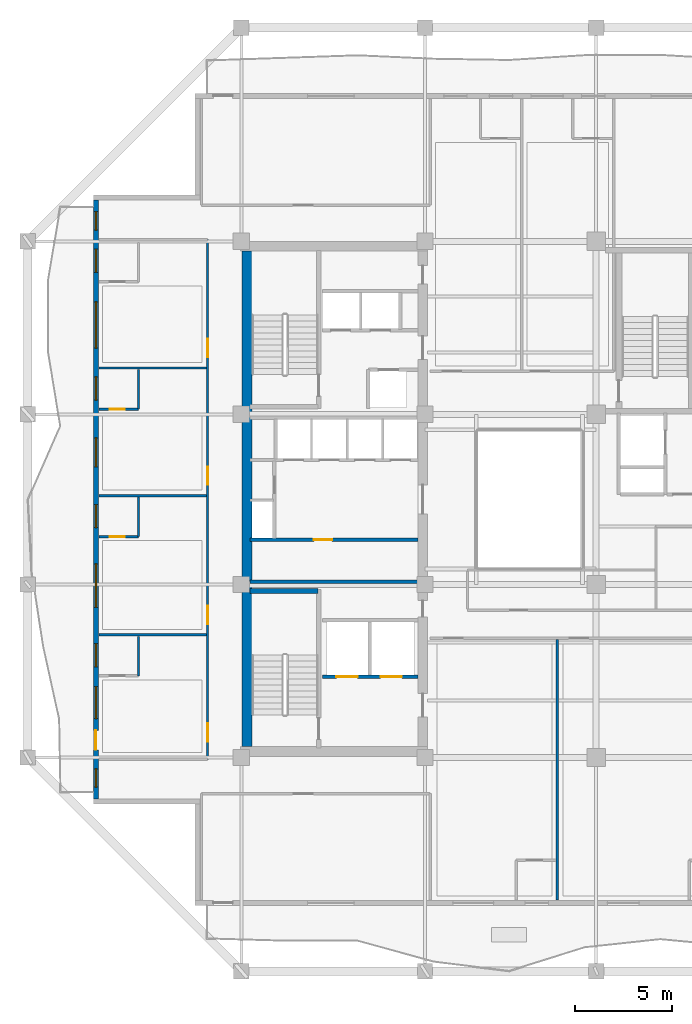
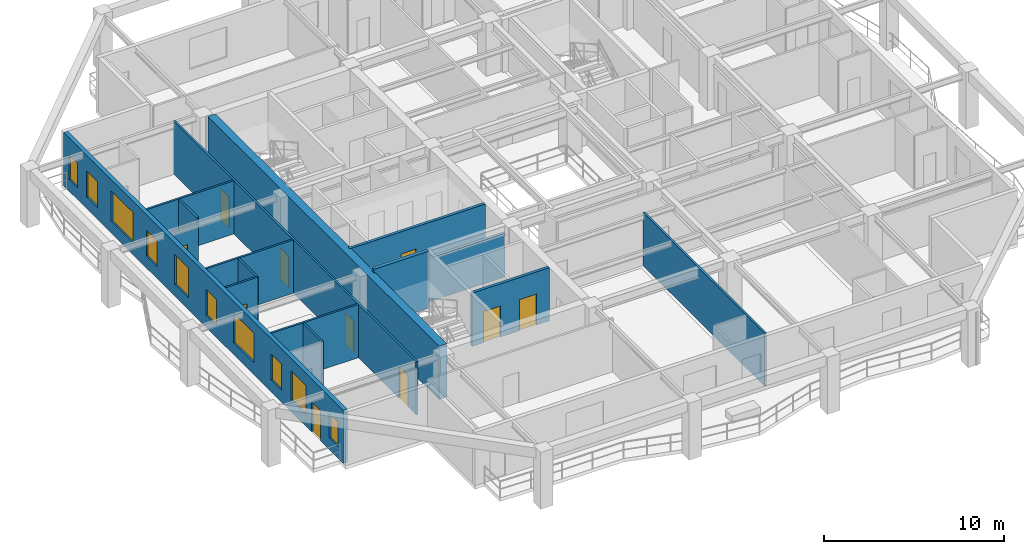
# One storey, part 3 of 13: 16 walls, 10 doors, 10 windows, 20 openings.
"""IFC4 building model written with IfcOpenShell, lengths in metres."""

from ifc_helpers import new_model, si_unit, direction, frame, frame_2d, origin, place, context, subcontext, project, spatial, rectangle, extrude, material, layer, layer_set, type_object, element, fill, save


model = new_model("IFC4")

# Units and contexts
model_context = context("Model", 3, precision=1e-05, world=origin(), true_north=direction((0.0, 1.0)))
body_context = subcontext(model_context, "Body", "Model", "MODEL_VIEW")
ifc_project = project(units=[si_unit("LENGTHUNIT", "METRE"), si_unit("AREAUNIT", "SQUARE_METRE"), si_unit("VOLUMEUNIT", "CUBIC_METRE"), si_unit("PLANEANGLEUNIT", "RADIAN"), si_unit("MASSUNIT", "GRAM", prefix="KILO")], contexts=[model_context])

# Site, building, storey
site_placement = place(None, origin())
site = spatial("IfcSite", under=ifc_project, at=site_placement, CompositionType="ELEMENT")
building_placement = place(site_placement, origin())
building = spatial("IfcBuilding", under=site, at=building_placement, Name="Kundavana Baori Tower", CompositionType="ELEMENT")
storey_placement = place(building_placement, frame((0.0, 0.0, 161.75)))
storey = spatial("IfcBuildingStorey", under=building, at=storey_placement, Name="L39", CompositionType="ELEMENT", Elevation=161.75)

# Walls
ifc_material_1 = material(Name="Concrete C50/60", Category="concrete")
ifc_layer_1 = layer(ifc_material_1, 0.39990234375, Name="WL-CORE-400")
ifc_layer_set_1 = layer_set([ifc_layer_1], Name="Concrete C50/60")
wall_type_1 = type_object("IfcWallType", Name="WL-CORE-400", PredefinedType="SHEAR", material=ifc_layer_set_1)
wall_1_placement = place(storey_placement, frame((15.89990234375, 23.860107421875, 0.0), z_axis=(0.0, 0.0, 1.0), x_axis=(1.0, 0.0, 0.0)))
element("IfcWall", 1, at=wall_1_placement, inside=storey, type_object=wall_type_1, Name="WL-L39-ST1-N", PredefinedType="SHEAR", context=body_context, shape_type="SweptSolid", body=[
    extrude(rectangle(XDim=3.52001953125, YDim=0.239990234375, at=frame_2d((1.760009765625, 0.0))), origin(), (0.0, 0.0, 1.0), 3.85009765625),
])
ifc_material_2 = material(Name="Concrete C50/60", Category="concrete")
ifc_layer_2 = layer(ifc_material_2, 0.5, Name="WL-CORE-500")
ifc_layer_set_2 = layer_set([ifc_layer_2], Name="Concrete C50/60")
wall_type_2 = type_object("IfcWallType", Name="WL-CORE-500", PredefinedType="SHEAR", material=ifc_layer_set_2)
wall_2_placement = place(storey_placement, frame((15.739990234375, 15.81005859375, 0.0), z_axis=(0.0, 0.0, 1.0), x_axis=(0.0, 1.0, 0.0)))
element("IfcWall", 2, at=wall_2_placement, inside=storey, type_object=wall_type_2, Name="L39 Offset Core West Shear Wall", PredefinedType="SHEAR", context=body_context, shape_type="SweptSolid", body=[
    extrude(rectangle(XDim=25.6298828125, YDim=0.5, at=frame_2d((12.81494140625, 0.0))), origin(), (0.0, 0.0, 1.0), 3.60009765625),
])

# Wall, openings, door, windows
ifc_material_3 = material(Name="Kiln-Fired Terracotta Brick-Slip Masonry on Concrete C40/50", Category="masonry")
ifc_layer_3 = layer(ifc_material_3, 0.260009765625, Name="WL-EXT-BRK-260")
ifc_layer_set_3 = layer_set([ifc_layer_3], Name="Kiln-Fired Terracotta Brick-Slip Masonry on Concrete C40/50")
wall_type_3 = type_object("IfcWallType", Name="WL-EXT-BRK-260", PredefinedType="SOLIDWALL", material=ifc_layer_set_3)
wall_3_placement = place(storey_placement, frame((7.929931640625, 44.090087890625, 0.0), z_axis=(0.0, 0.0, 1.0), x_axis=(0.0, -1.0, 0.0)))
wall_3 = element("IfcWall", 3, at=wall_3_placement, inside=storey, type_object=wall_type_3, Name="L39 Exterior Insulated Facade Wall 10", PredefinedType="SOLIDWALL", context=body_context, shape_type="SweptSolid", body=[
    extrude(rectangle(XDim=30.97998046875, YDim=0.260009765625, at=frame_2d((15.489990234375, 0.0))), origin(), (0.0, 0.0, 1.0), 3.60009765625),
])
opening_1_placement = place(wall_3_placement, frame((29.425048828125, 0.0, 0.800048828125)))
opening_1 = element("IfcOpeningElement", 4, at=opening_1_placement, cuts=wall_3, Name="Opening W-13", PredefinedType="OPENING", context=body_context, shape_type="SweptSolid", body=[
    extrude(rectangle(XDim=0.949951171875, YDim=1.64990234375, at=frame_2d((0.47509765625, 0.824951171875))), frame((0.0, 0.14013671875, 0.0), z_axis=(0.0, -1.0, 0.0), x_axis=(1.0, 0.0, 0.0)), (0.0, 0.0, 1.0), 0.280029296875),
])
opening_2_placement = place(wall_3_placement, frame((27.43994140625, 0.0, 0.0)))
opening_2 = element("IfcOpeningElement", 5, at=opening_2_placement, cuts=wall_3, Name="Opening BD-1", PredefinedType="OPENING", context=body_context, shape_type="SweptSolid", body=[
    extrude(rectangle(XDim=1.0, YDim=2.050048828125, at=frame_2d((0.5, 1.02490234375))), frame((0.0, 0.14013671875, 0.0), z_axis=(0.0, -1.0, 0.0), x_axis=(1.0, 0.0, 0.0)), (0.0, 0.0, 1.0), 0.280029296875),
])
opening_3_placement = place(wall_3_placement, frame((25.175048828125, 0.0, 0.800048828125)))
opening_3 = element("IfcOpeningElement", 6, at=opening_3_placement, cuts=wall_3, Name="Opening W-08", PredefinedType="OPENING", context=body_context, shape_type="SweptSolid", body=[
    extrude(rectangle(XDim=1.64990234375, YDim=1.949951171875, at=frame_2d((0.824951171875, 0.97509765625))), frame((0.0, 0.14013671875, 0.0), z_axis=(0.0, -1.0, 0.0), x_axis=(1.0, 0.0, 0.0)), (0.0, 0.0, 1.0), 0.280029296875),
])
opening_4_placement = place(wall_3_placement, frame((22.955078125, 0.0, 0.800048828125)))
opening_4 = element("IfcOpeningElement", 7, at=opening_4_placement, cuts=wall_3, Name="Opening W-03", PredefinedType="OPENING", context=body_context, shape_type="SweptSolid", body=[
    extrude(rectangle(XDim=1.199951171875, YDim=1.75, at=frame_2d((0.60009765625, 0.875))), frame((0.0, 0.14013671875, 0.0), z_axis=(0.0, -1.0, 0.0), x_axis=(1.0, 0.0, 0.0)), (0.0, 0.0, 1.0), 0.280029296875),
])
opening_5_placement = place(wall_3_placement, frame((18.830078125, 0.0, 0.800048828125)))
opening_5 = element("IfcOpeningElement", 8, at=opening_5_placement, cuts=wall_3, Name="Opening W-10", PredefinedType="OPENING", context=body_context, shape_type="SweptSolid", body=[
    extrude(rectangle(XDim=2.25, YDim=2.0, at=frame_2d((1.125, 1.0))), frame((0.0, 0.14013671875, 0.0), z_axis=(0.0, -1.0, 0.0), x_axis=(1.0, 0.0, 0.0)), (0.0, 0.0, 1.0), 0.280029296875),
])
opening_6_placement = place(wall_3_placement, frame((15.7548828125, 0.0, 0.800048828125)))
opening_6 = element("IfcOpeningElement", 9, at=opening_6_placement, cuts=wall_3, Name="Opening W-03", PredefinedType="OPENING", context=body_context, shape_type="SweptSolid", body=[
    extrude(rectangle(XDim=1.199951171875, YDim=1.75, at=frame_2d((0.60009765625, 0.875))), frame((0.0, 0.14013671875, 0.0), z_axis=(0.0, -1.0, 0.0), x_axis=(1.0, 0.0, 0.0)), (0.0, 0.0, 1.0), 0.280029296875),
])
opening_7_placement = place(wall_3_placement, frame((12.304931640625, 0.0, 0.800048828125)))
opening_7 = element("IfcOpeningElement", 10, at=opening_7_placement, cuts=wall_3, Name="Opening W-02", PredefinedType="OPENING", context=body_context, shape_type="SweptSolid", body=[
    extrude(rectangle(XDim=1.5, YDim=2.0, at=frame_2d((0.75, 1.0))), frame((0.0, 0.14013671875, 0.0), z_axis=(0.0, -1.0, 0.0), x_axis=(1.0, 0.0, 0.0)), (0.0, 0.0, 1.0), 0.280029296875),
])
opening_8_placement = place(wall_3_placement, frame((9.155029296875, 0.0, 0.800048828125)))
opening_8 = element("IfcOpeningElement", 11, at=opening_8_placement, cuts=wall_3, Name="Opening W-03", PredefinedType="OPENING", context=body_context, shape_type="SweptSolid", body=[
    extrude(rectangle(XDim=1.199951171875, YDim=1.75, at=frame_2d((0.60009765625, 0.875))), frame((0.0, 0.14013671875, 0.0), z_axis=(0.0, -1.0, 0.0), x_axis=(1.0, 0.0, 0.0)), (0.0, 0.0, 1.0), 0.280029296875),
])
opening_9_placement = place(wall_3_placement, frame((5.264892578125, 0.0, 0.800048828125)))
opening_9 = element("IfcOpeningElement", 12, at=opening_9_placement, cuts=wall_3, Name="Opening W-04", PredefinedType="OPENING", context=body_context, shape_type="SweptSolid", body=[
    extrude(rectangle(XDim=2.39990234375, YDim=2.050048828125, at=frame_2d((1.199951171875, 1.02490234375))), frame((0.0, 0.14013671875, 0.0), z_axis=(0.0, -1.0, 0.0), x_axis=(1.0, 0.0, 0.0)), (0.0, 0.0, 1.0), 0.280029296875),
])
opening_10_placement = place(wall_3_placement, frame((2.544921875, 0.0, 0.800048828125)))
opening_10 = element("IfcOpeningElement", 13, at=opening_10_placement, cuts=wall_3, Name="Opening W-03", PredefinedType="OPENING", context=body_context, shape_type="SweptSolid", body=[
    extrude(rectangle(XDim=1.199951171875, YDim=1.75, at=frame_2d((0.60009765625, 0.875))), frame((0.0, 0.14013671875, 0.0), z_axis=(0.0, -1.0, 0.0), x_axis=(1.0, 0.0, 0.0)), (0.0, 0.0, 1.0), 0.280029296875),
])
opening_11_placement = place(wall_3_placement, frame((0.60498046875, 0.0, 0.800048828125)))
opening_11 = element("IfcOpeningElement", 14, at=opening_11_placement, cuts=wall_3, Name="Opening W-13", PredefinedType="OPENING", context=body_context, shape_type="SweptSolid", body=[
    extrude(rectangle(XDim=0.949951171875, YDim=1.64990234375, at=frame_2d((0.47509765625, 0.824951171875))), frame((0.0, 0.14013671875, 0.0), z_axis=(0.0, -1.0, 0.0), x_axis=(1.0, 0.0, 0.0)), (0.0, 0.0, 1.0), 0.280029296875),
])
ifc_material_4 = material(Name="Architectural Patinated Bronze Metalwork")
door_type_1 = type_object("IfcDoorType", Name="DR-EXT-LOG-1000", OperationType="NOTDEFINED", PredefinedType="DOOR", material=ifc_material_4)
door_1_placement = place(opening_2_placement, frame((1.0, 0.0, 0.0), z_axis=(0.0, 0.0, 1.0), x_axis=(-1.0, 0.0, 0.0)))
door_1 = element("IfcDoor", 15, at=door_1_placement, inside=storey, type_object=door_type_1, Name="L39 Loggia Balcony Access Door W", OperationType="SINGLE_SWING_LEFT", OverallHeight=2.050048828125, OverallWidth=1.0, PredefinedType="DOOR", context=body_context, shape_type="SweptSolid", body=[
    extrude(rectangle(XDim=1.0, YDim=2.050048828125, at=frame_2d((0.5, 1.02490234375))), frame((0.0, 0.02490234375, 0.0), z_axis=(0.0, -1.0, 0.0), x_axis=(1.0, 0.0, 0.0)), (0.0, 0.0, 1.0), 0.050048828125),
])
fill(opening_2, door_1)
ifc_material_5 = material(Name="Double-Glazed Solar-Control Low-E Insulated Glass", Category="glass")
window_type_1 = type_object("IfcWindowType", Name="WIN-LOG-1200x1750", PartitioningType="SINGLE_PANEL", PredefinedType="WINDOW", material=ifc_material_5)
window_1_placement = place(opening_4_placement, origin())
window_1 = element("IfcWindow", 16, at=window_1_placement, inside=storey, type_object=window_type_1, Name="L39 Recessed Loggia Window W-3", OverallHeight=1.75, OverallWidth=1.199951171875, PartitioningType="SINGLE_PANEL", PredefinedType="WINDOW", context=body_context, shape_type="SweptSolid", body=[
    extrude(rectangle(XDim=1.199951171875, YDim=1.75, at=frame_2d((0.60009765625, 0.875))), frame((0.0, 0.030029296875, 0.0), z_axis=(0.0, -1.0, 0.0), x_axis=(1.0, 0.0, 0.0)), (0.0, 0.0, 1.0), 0.06005859375),
])
fill(opening_4, window_1)
window_2_placement = place(opening_6_placement, origin())
window_2 = element("IfcWindow", 17, at=window_2_placement, inside=storey, type_object=window_type_1, Name="L39 Recessed Loggia Window W-5", OverallHeight=1.75, OverallWidth=1.199951171875, PartitioningType="SINGLE_PANEL", PredefinedType="WINDOW", context=body_context, shape_type="SweptSolid", body=[
    extrude(rectangle(XDim=1.199951171875, YDim=1.75, at=frame_2d((0.60009765625, 0.875))), frame((0.0, 0.030029296875, 0.0), z_axis=(0.0, -1.0, 0.0), x_axis=(1.0, 0.0, 0.0)), (0.0, 0.0, 1.0), 0.06005859375),
])
fill(opening_6, window_2)
window_3_placement = place(opening_8_placement, origin())
window_3 = element("IfcWindow", 18, at=window_3_placement, inside=storey, type_object=window_type_1, Name="L39 Recessed Loggia Window W-7", OverallHeight=1.75, OverallWidth=1.199951171875, PartitioningType="SINGLE_PANEL", PredefinedType="WINDOW", context=body_context, shape_type="SweptSolid", body=[
    extrude(rectangle(XDim=1.199951171875, YDim=1.75, at=frame_2d((0.60009765625, 0.875))), frame((0.0, 0.030029296875, 0.0), z_axis=(0.0, -1.0, 0.0), x_axis=(1.0, 0.0, 0.0)), (0.0, 0.0, 1.0), 0.06005859375),
])
fill(opening_8, window_3)
window_4_placement = place(opening_10_placement, origin())
window_4 = element("IfcWindow", 19, at=window_4_placement, inside=storey, type_object=window_type_1, Name="L39 Recessed Loggia Window W-9", OverallHeight=1.75, OverallWidth=1.199951171875, PartitioningType="SINGLE_PANEL", PredefinedType="WINDOW", context=body_context, shape_type="SweptSolid", body=[
    extrude(rectangle(XDim=1.199951171875, YDim=1.75, at=frame_2d((0.60009765625, 0.875))), frame((0.0, 0.030029296875, 0.0), z_axis=(0.0, -1.0, 0.0), x_axis=(1.0, 0.0, 0.0)), (0.0, 0.0, 1.0), 0.06005859375),
])
fill(opening_10, window_4)
ifc_material_6 = material(Name="Double-Glazed Solar-Control Low-E Insulated Glass", Category="glass")
window_type_2 = type_object("IfcWindowType", Name="WIN-LOG-1500x2000", PartitioningType="SINGLE_PANEL", PredefinedType="WINDOW", material=ifc_material_6)
window_5_placement = place(opening_7_placement, origin())
window_5 = element("IfcWindow", 20, at=window_5_placement, inside=storey, type_object=window_type_2, Name="L39 Recessed Loggia Window W-6", OverallHeight=2.0, OverallWidth=1.5, PartitioningType="SINGLE_PANEL", PredefinedType="WINDOW", context=body_context, shape_type="SweptSolid", body=[
    extrude(rectangle(XDim=1.5, YDim=2.0, at=frame_2d((0.75, 1.0))), frame((0.0, 0.030029296875, 0.0), z_axis=(0.0, -1.0, 0.0), x_axis=(1.0, 0.0, 0.0)), (0.0, 0.0, 1.0), 0.06005859375),
])
fill(opening_7, window_5)
ifc_material_7 = material(Name="Double-Glazed Solar-Control Low-E Insulated Glass", Category="glass")
window_type_3 = type_object("IfcWindowType", Name="WIN-LOG-1650x1950", PartitioningType="SINGLE_PANEL", PredefinedType="WINDOW", material=ifc_material_7)
window_6_placement = place(opening_3_placement, origin())
window_6 = element("IfcWindow", 21, at=window_6_placement, inside=storey, type_object=window_type_3, Name="L39 Recessed Loggia Window W-2", OverallHeight=1.949951171875, OverallWidth=1.64990234375, PartitioningType="SINGLE_PANEL", PredefinedType="WINDOW", context=body_context, shape_type="SweptSolid", body=[
    extrude(rectangle(XDim=1.64990234375, YDim=1.949951171875, at=frame_2d((0.824951171875, 0.97509765625))), frame((0.0, 0.030029296875, 0.0), z_axis=(0.0, -1.0, 0.0), x_axis=(1.0, 0.0, 0.0)), (0.0, 0.0, 1.0), 0.06005859375),
])
fill(opening_3, window_6)
ifc_material_8 = material(Name="Double-Glazed Solar-Control Low-E Insulated Glass", Category="glass")
window_type_4 = type_object("IfcWindowType", Name="WIN-LOG-2250x2000", PartitioningType="SINGLE_PANEL", PredefinedType="WINDOW", material=ifc_material_8)
window_7_placement = place(opening_5_placement, origin())
window_7 = element("IfcWindow", 22, at=window_7_placement, inside=storey, type_object=window_type_4, Name="L39 Recessed Loggia Window W-4", OverallHeight=2.0, OverallWidth=2.25, PartitioningType="SINGLE_PANEL", PredefinedType="WINDOW", context=body_context, shape_type="SweptSolid", body=[
    extrude(rectangle(XDim=2.25, YDim=2.0, at=frame_2d((1.125, 1.0))), frame((0.0, 0.030029296875, 0.0), z_axis=(0.0, -1.0, 0.0), x_axis=(1.0, 0.0, 0.0)), (0.0, 0.0, 1.0), 0.06005859375),
])
fill(opening_5, window_7)
ifc_material_9 = material(Name="Double-Glazed Solar-Control Low-E Insulated Glass", Category="glass")
window_type_5 = type_object("IfcWindowType", Name="WIN-LOG-2400x2050", PartitioningType="SINGLE_PANEL", PredefinedType="WINDOW", material=ifc_material_9)
window_8_placement = place(opening_9_placement, origin())
window_8 = element("IfcWindow", 23, at=window_8_placement, inside=storey, type_object=window_type_5, Name="L39 Recessed Loggia Window W-8", OverallHeight=2.050048828125, OverallWidth=2.39990234375, PartitioningType="SINGLE_PANEL", PredefinedType="WINDOW", context=body_context, shape_type="SweptSolid", body=[
    extrude(rectangle(XDim=2.39990234375, YDim=2.050048828125, at=frame_2d((1.199951171875, 1.02490234375))), frame((0.0, 0.030029296875, 0.0), z_axis=(0.0, -1.0, 0.0), x_axis=(1.0, 0.0, 0.0)), (0.0, 0.0, 1.0), 0.06005859375),
])
fill(opening_9, window_8)
ifc_material_10 = material(Name="Double-Glazed Solar-Control Low-E Insulated Glass", Category="glass")
window_type_6 = type_object("IfcWindowType", Name="WIN-LOG-950x1650", PartitioningType="SINGLE_PANEL", PredefinedType="WINDOW", material=ifc_material_10)
window_9_placement = place(opening_1_placement, origin())
window_9 = element("IfcWindow", 24, at=window_9_placement, inside=storey, type_object=window_type_6, Name="L39 Recessed Loggia Window W-1", OverallHeight=1.64990234375, OverallWidth=0.949951171875, PartitioningType="SINGLE_PANEL", PredefinedType="WINDOW", context=body_context, shape_type="SweptSolid", body=[
    extrude(rectangle(XDim=0.949951171875, YDim=1.64990234375, at=frame_2d((0.47509765625, 0.824951171875))), frame((0.0, 0.030029296875, 0.0), z_axis=(0.0, -1.0, 0.0), x_axis=(1.0, 0.0, 0.0)), (0.0, 0.0, 1.0), 0.06005859375),
])
fill(opening_1, window_9)
window_10_placement = place(opening_11_placement, origin())
window_10 = element("IfcWindow", 25, at=window_10_placement, inside=storey, type_object=window_type_6, Name="L39 Recessed Loggia Window W-10", OverallHeight=1.64990234375, OverallWidth=0.949951171875, PartitioningType="SINGLE_PANEL", PredefinedType="WINDOW", context=body_context, shape_type="SweptSolid", body=[
    extrude(rectangle(XDim=0.949951171875, YDim=1.64990234375, at=frame_2d((0.47509765625, 0.824951171875))), frame((0.0, 0.030029296875, 0.0), z_axis=(0.0, -1.0, 0.0), x_axis=(1.0, 0.0, 0.0)), (0.0, 0.0, 1.0), 0.06005859375),
])
fill(opening_11, window_10)

# Wall, openings, doors
ifc_material_11 = material(Name="Autoclaved Aerated Concrete Blockwork Masonry", Category="masonry")
ifc_layer_4 = layer(ifc_material_11, 0.179931640625, Name="WL-SHAFT-180")
ifc_layer_set_4 = layer_set([ifc_layer_4], Name="Autoclaved Aerated Concrete Blockwork Masonry")
wall_type_4 = type_object("IfcWallType", Name="WL-SHAFT-180", PredefinedType="SOLIDWALL", material=ifc_layer_set_4)
wall_4_placement = place(storey_placement, frame((19.639892578125, 19.419921875, 0.0), z_axis=(0.0, 0.0, 1.0), x_axis=(1.0, 0.0, 0.0)))
wall_4 = element("IfcWall", 26, at=wall_4_placement, inside=storey, type_object=wall_type_4, Name="WL-L39-FFL-S", PredefinedType="SOLIDWALL", context=body_context, shape_type="SweptSolid", body=[
    extrude(rectangle(XDim=4.940185546875, YDim=0.179931640625, at=frame_2d((2.47021484375, 0.0))), origin(), (0.0, 0.0, 1.0), 3.60009765625),
])
opening_12_placement = place(wall_4_placement, frame((0.719970703125, 0.0, 0.0)))
opening_12 = element("IfcOpeningElement", 27, at=opening_12_placement, cuts=wall_4, Name="Opening LD-110", PredefinedType="OPENING", context=body_context, shape_type="SweptSolid", body=[
    extrude(rectangle(XDim=1.10009765625, YDim=2.10009765625, at=frame_2d((0.550048828125, 1.050048828125))), frame((0.0, 0.10009765625, 0.0), z_axis=(0.0, -1.0, 0.0), x_axis=(1.0, 0.0, 0.0)), (0.0, 0.0, 1.0), 0.199951171875),
])
opening_13_placement = place(wall_4_placement, frame((3.02001953125, 0.0, 0.0)))
opening_13 = element("IfcOpeningElement", 28, at=opening_13_placement, cuts=wall_4, Name="Opening LD-110", PredefinedType="OPENING", context=body_context, shape_type="SweptSolid", body=[
    extrude(rectangle(XDim=1.10009765625, YDim=2.10009765625, at=frame_2d((0.550048828125, 1.050048828125))), frame((0.0, 0.10009765625, 0.0), z_axis=(0.0, -1.0, 0.0), x_axis=(1.0, 0.0, 0.0)), (0.0, 0.0, 1.0), 0.199951171875),
])
ifc_material_12 = material(Name="Galvanised Steel Fire-Rated Door Leaf", Category="steel")
door_type_2 = type_object("IfcDoorType", Name="DR-SLIDE-LD1100", OperationType="NOTDEFINED", PredefinedType="DOOR", material=ifc_material_12)
door_2_placement = place(opening_12_placement, origin())
door_2 = element("IfcDoor", 29, at=door_2_placement, inside=storey, type_object=door_type_2, Name="DR-L39-LD-FFL-1", OperationType="DOUBLE_DOOR_SLIDING", OverallHeight=2.10009765625, OverallWidth=1.10009765625, PredefinedType="DOOR", context=body_context, shape_type="SweptSolid", body=[
    extrude(rectangle(XDim=1.10009765625, YDim=2.10009765625, at=frame_2d((0.550048828125, 1.050048828125))), frame((0.0, 0.02490234375, 0.0), z_axis=(0.0, -1.0, 0.0), x_axis=(1.0, 0.0, 0.0)), (0.0, 0.0, 1.0), 0.050048828125),
])
fill(opening_12, door_2)
door_3_placement = place(opening_13_placement, origin())
door_3 = element("IfcDoor", 30, at=door_3_placement, inside=storey, type_object=door_type_2, Name="DR-L39-LD-FFL-2", OperationType="DOUBLE_DOOR_SLIDING", OverallHeight=2.10009765625, OverallWidth=1.10009765625, PredefinedType="DOOR", context=body_context, shape_type="SweptSolid", body=[
    extrude(rectangle(XDim=1.10009765625, YDim=2.10009765625, at=frame_2d((0.550048828125, 1.050048828125))), frame((0.0, 0.02490234375, 0.0), z_axis=(0.0, -1.0, 0.0), x_axis=(1.0, 0.0, 0.0)), (0.0, 0.0, 1.0), 0.050048828125),
])
fill(opening_13, door_3)

# Wall, opening, door
wall_5_placement = place(storey_placement, frame((15.89990234375, 26.52001953125, 0.0), z_axis=(0.0, 0.0, 1.0), x_axis=(1.0, 0.0, 0.0)))
wall_5 = element("IfcWall", 31, at=wall_5_placement, inside=storey, type_object=wall_type_4, Name="WL-L39-LPLOW-N", PredefinedType="SOLIDWALL", context=body_context, shape_type="SweptSolid", body=[
    extrude(rectangle(XDim=8.68017578125, YDim=0.179931640625, at=frame_2d((4.340087890625, 0.0))), origin(), (0.0, 0.0, 1.0), 3.60009765625),
])
opening_14_placement = place(wall_5_placement, frame((3.300048828125, 0.0, 0.0)))
opening_14 = element("IfcOpeningElement", 32, at=opening_14_placement, cuts=wall_5, Name="Opening FD-095", PredefinedType="OPENING", context=body_context, shape_type="SweptSolid", body=[
    extrude(rectangle(XDim=0.949951171875, YDim=2.10009765625, at=frame_2d((0.47509765625, 1.050048828125))), frame((0.0, 0.10009765625, 0.0), z_axis=(0.0, -1.0, 0.0), x_axis=(1.0, 0.0, 0.0)), (0.0, 0.0, 1.0), 0.199951171875),
])
ifc_material_13 = material(Name="Engineered Teak Fire-Rated Timber Door Leaf", Category="wood")
door_type_3 = type_object("IfcDoorType", Name="DR-FD60-950", OperationType="NOTDEFINED", PredefinedType="DOOR", material=ifc_material_13)
door_4_placement = place(opening_14_placement, origin())
door_4 = element("IfcDoor", 33, at=door_4_placement, inside=storey, type_object=door_type_3, Name="DR-L39-FRLOW1", OperationType="SINGLE_SWING_LEFT", OverallHeight=2.10009765625, OverallWidth=0.949951171875, PredefinedType="DOOR", context=body_context, shape_type="SweptSolid", body=[
    extrude(rectangle(XDim=0.949951171875, YDim=2.10009765625, at=frame_2d((0.47509765625, 1.050048828125))), frame((0.0, 0.02490234375, 0.0), z_axis=(0.0, -1.0, 0.0), x_axis=(1.0, 0.0, 0.0)), (0.0, 0.0, 1.0), 0.050048828125),
])
fill(opening_14, door_4)

# Wall
wall_6_placement = place(storey_placement, frame((15.89990234375, 24.330078125, 0.0), z_axis=(0.0, 0.0, 1.0), x_axis=(1.0, 0.0, 0.0)))
element("IfcWall", 34, at=wall_6_placement, inside=storey, type_object=wall_type_4, Name="WL-L39-LPLOW-S", PredefinedType="SOLIDWALL", context=body_context, shape_type="SweptSolid", body=[
    extrude(rectangle(XDim=8.68017578125, YDim=0.179931640625, at=frame_2d((4.340087890625, 0.0))), origin(), (0.0, 0.0, 1.0), 2.949951171875),
])

# Wall, openings, doors
ifc_material_14 = material(Name="Autoclaved Aerated Concrete Blockwork Masonry", Category="masonry")
ifc_layer_5 = layer(ifc_material_14, 0.125, Name="WL-WET-120")
ifc_layer_set_5 = layer_set([ifc_layer_5], Name="Autoclaved Aerated Concrete Blockwork Masonry")
wall_type_5 = type_object("IfcWallType", Name="WL-WET-120", PredefinedType="PLUMBINGWALL", material=ifc_layer_set_5)
wall_7_placement = place(storey_placement, frame((13.699951171875, 15.159912109375, 0.0), z_axis=(0.0, 0.0, 1.0), x_axis=(0.0, 1.0, 0.0)))
wall_7 = element("IfcWall", 35, at=wall_7_placement, inside=storey, type_object=wall_type_5, Name="WL-L39-HW", PredefinedType="PLUMBINGWALL", context=body_context, shape_type="SweptSolid", body=[
    extrude(rectangle(XDim=26.880126953125, YDim=0.125, at=frame_2d((13.43994140625, 0.0))), origin(), (0.0, 0.0, 1.0), 3.60009765625),
])
opening_15_placement = place(wall_7_placement, frame((0.909912109375, 0.0, 0.0)))
opening_15 = element("IfcOpeningElement", 36, at=opening_15_placement, cuts=wall_7, Name="Opening FD-095", PredefinedType="OPENING", context=body_context, shape_type="SweptSolid", body=[
    extrude(rectangle(XDim=0.949951171875, YDim=2.10009765625, at=frame_2d((0.47509765625, 1.050048828125))), frame((0.0, 0.072509765625, 0.0), z_axis=(0.0, -1.0, 0.0), x_axis=(1.0, 0.0, 0.0)), (0.0, 0.0, 1.0), 0.14501953125),
])
opening_16_placement = place(wall_7_placement, frame((6.989990234375, 0.0, 0.0)))
opening_16 = element("IfcOpeningElement", 37, at=opening_16_placement, cuts=wall_7, Name="Opening FD-095", PredefinedType="OPENING", context=body_context, shape_type="SweptSolid", body=[
    extrude(rectangle(XDim=0.949951171875, YDim=2.10009765625, at=frame_2d((0.47509765625, 1.050048828125))), frame((0.0, 0.072509765625, 0.0), z_axis=(0.0, -1.0, 0.0), x_axis=(1.0, 0.0, 0.0)), (0.0, 0.0, 1.0), 0.14501953125),
])
opening_17_placement = place(wall_7_placement, frame((14.18994140625, 0.0, 0.0)))
opening_17 = element("IfcOpeningElement", 38, at=opening_17_placement, cuts=wall_7, Name="Opening FD-095", PredefinedType="OPENING", context=body_context, shape_type="SweptSolid", body=[
    extrude(rectangle(XDim=0.949951171875, YDim=2.10009765625, at=frame_2d((0.47509765625, 1.050048828125))), frame((0.0, 0.072509765625, 0.0), z_axis=(0.0, -1.0, 0.0), x_axis=(1.0, 0.0, 0.0)), (0.0, 0.0, 1.0), 0.14501953125),
])
opening_18_placement = place(wall_7_placement, frame((20.7900390625, 0.0, 0.0)))
opening_18 = element("IfcOpeningElement", 39, at=opening_18_placement, cuts=wall_7, Name="Opening FD-095", PredefinedType="OPENING", context=body_context, shape_type="SweptSolid", body=[
    extrude(rectangle(XDim=0.949951171875, YDim=2.10009765625, at=frame_2d((0.47509765625, 1.050048828125))), frame((0.0, 0.072509765625, 0.0), z_axis=(0.0, -1.0, 0.0), x_axis=(1.0, 0.0, 0.0)), (0.0, 0.0, 1.0), 0.14501953125),
])
door_5_placement = place(opening_15_placement, origin())
door_5 = element("IfcDoor", 40, at=door_5_placement, inside=storey, type_object=door_type_3, Name="DR-L39-HK-W1-ENT", OperationType="SINGLE_SWING_LEFT", OverallHeight=2.10009765625, OverallWidth=0.949951171875, PredefinedType="DOOR", context=body_context, shape_type="SweptSolid", body=[
    extrude(rectangle(XDim=0.949951171875, YDim=2.10009765625, at=frame_2d((0.47509765625, 1.050048828125))), frame((0.0, 0.02490234375, 0.0), z_axis=(0.0, -1.0, 0.0), x_axis=(1.0, 0.0, 0.0)), (0.0, 0.0, 1.0), 0.050048828125),
])
fill(opening_15, door_5)
door_6_placement = place(opening_16_placement, origin())
door_6 = element("IfcDoor", 41, at=door_6_placement, inside=storey, type_object=door_type_3, Name="DR-L39-HK-W2-ENT", OperationType="SINGLE_SWING_LEFT", OverallHeight=2.10009765625, OverallWidth=0.949951171875, PredefinedType="DOOR", context=body_context, shape_type="SweptSolid", body=[
    extrude(rectangle(XDim=0.949951171875, YDim=2.10009765625, at=frame_2d((0.47509765625, 1.050048828125))), frame((0.0, 0.02490234375, 0.0), z_axis=(0.0, -1.0, 0.0), x_axis=(1.0, 0.0, 0.0)), (0.0, 0.0, 1.0), 0.050048828125),
])
fill(opening_16, door_6)
door_7_placement = place(opening_17_placement, origin())
door_7 = element("IfcDoor", 42, at=door_7_placement, inside=storey, type_object=door_type_3, Name="DR-L39-HK-W3-ENT", OperationType="SINGLE_SWING_LEFT", OverallHeight=2.10009765625, OverallWidth=0.949951171875, PredefinedType="DOOR", context=body_context, shape_type="SweptSolid", body=[
    extrude(rectangle(XDim=0.949951171875, YDim=2.10009765625, at=frame_2d((0.47509765625, 1.050048828125))), frame((0.0, 0.02490234375, 0.0), z_axis=(0.0, -1.0, 0.0), x_axis=(1.0, 0.0, 0.0)), (0.0, 0.0, 1.0), 0.050048828125),
])
fill(opening_17, door_7)
door_8_placement = place(opening_18_placement, origin())
door_8 = element("IfcDoor", 43, at=door_8_placement, inside=storey, type_object=door_type_3, Name="DR-L39-HK-W4-ENT", OperationType="SINGLE_SWING_LEFT", OverallHeight=2.10009765625, OverallWidth=0.949951171875, PredefinedType="DOOR", context=body_context, shape_type="SweptSolid", body=[
    extrude(rectangle(XDim=0.949951171875, YDim=2.10009765625, at=frame_2d((0.47509765625, 1.050048828125))), frame((0.0, 0.02490234375, 0.0), z_axis=(0.0, -1.0, 0.0), x_axis=(1.0, 0.0, 0.0)), (0.0, 0.0, 1.0), 0.050048828125),
])
fill(opening_18, door_8)

# Walls
wall_8_placement = place(storey_placement, frame((10.1298828125, 19.469970703125, 0.0), z_axis=(0.0, 0.0, 1.0), x_axis=(0.0, 1.0, 0.0)))
element("IfcWall", 44, at=wall_8_placement, inside=storey, type_object=wall_type_5, Name="WL-L39-HK-W1-BE", PredefinedType="PLUMBINGWALL", context=body_context, shape_type="SweptSolid", body=[
    extrude(rectangle(XDim=2.050048828125, YDim=0.125, at=frame_2d((1.02490234375, 0.0))), origin(), (0.0, 0.0, 1.0), 3.60009765625),
])
wall_9_placement = place(storey_placement, frame((8.080078125, 21.60009765625, 0.0), z_axis=(0.0, 0.0, 1.0), x_axis=(1.0, 0.0, 0.0)))
element("IfcWall", 45, at=wall_9_placement, inside=storey, type_object=wall_type_5, Name="WL-L39-HWD1", PredefinedType="PLUMBINGWALL", context=body_context, shape_type="SweptSolid", body=[
    extrude(rectangle(XDim=5.559814453125, YDim=0.125, at=frame_2d((2.77978515625, 0.0))), origin(), (0.0, 0.0, 1.0), 3.60009765625),
])
wall_10_placement = place(storey_placement, frame((10.1298828125, 26.669921875, 0.0), z_axis=(0.0, 0.0, 1.0), x_axis=(0.0, 1.0, 0.0)))
element("IfcWall", 46, at=wall_10_placement, inside=storey, type_object=wall_type_5, Name="WL-L39-HK-W2-BE", PredefinedType="PLUMBINGWALL", context=body_context, shape_type="SweptSolid", body=[
    extrude(rectangle(XDim=2.050048828125, YDim=0.125, at=frame_2d((1.02490234375, 0.0))), origin(), (0.0, 0.0, 1.0), 3.60009765625),
])

# Wall, opening, door
wall_11_placement = place(storey_placement, frame((8.080078125, 26.669921875, 0.0), z_axis=(0.0, 0.0, 1.0), x_axis=(1.0, 0.0, 0.0)))
wall_11 = element("IfcWall", 47, at=wall_11_placement, inside=storey, type_object=wall_type_5, Name="WL-L39-HK-W2-BS", PredefinedType="PLUMBINGWALL", context=body_context, shape_type="SweptSolid", body=[
    extrude(rectangle(XDim=2.0498046875, YDim=0.125, at=frame_2d((1.02490234375, 0.0))), origin(), (0.0, 0.0, 1.0), 3.60009765625),
])
opening_19_placement = place(wall_11_placement, frame((0.550048828125, 0.0, 0.0)))
opening_19 = element("IfcOpeningElement", 48, at=opening_19_placement, cuts=wall_11, Name="Opening WD-080", PredefinedType="OPENING", context=body_context, shape_type="SweptSolid", body=[
    extrude(rectangle(XDim=0.800048828125, YDim=2.050048828125, at=frame_2d((0.39990234375, 1.02490234375))), frame((0.0, 0.072509765625, 0.0), z_axis=(0.0, -1.0, 0.0), x_axis=(1.0, 0.0, 0.0)), (0.0, 0.0, 1.0), 0.14501953125),
])
ifc_material_15 = material(Name="Engineered Teak Solid-Core Timber Veneer", Category="wood")
door_type_4 = type_object("IfcDoorType", Name="DR-WET-800", OperationType="NOTDEFINED", PredefinedType="DOOR", material=ifc_material_15)
door_9_placement = place(opening_19_placement, frame((0.800048828125, 0.0, 0.0), z_axis=(0.0, 0.0, 1.0), x_axis=(-1.0, 0.0, 0.0)))
door_9 = element("IfcDoor", 49, at=door_9_placement, inside=storey, type_object=door_type_4, Name="DR-L39-HK-W2-ENS", OperationType="SINGLE_SWING_LEFT", OverallHeight=2.050048828125, OverallWidth=0.800048828125, PredefinedType="DOOR", context=body_context, shape_type="SweptSolid", body=[
    extrude(rectangle(XDim=0.800048828125, YDim=2.050048828125, at=frame_2d((0.39990234375, 1.02490234375))), frame((0.0, 0.02490234375, 0.0), z_axis=(0.0, -1.0, 0.0), x_axis=(1.0, 0.0, 0.0)), (0.0, 0.0, 1.0), 0.050048828125),
])
fill(opening_19, door_9)

# Walls
wall_12_placement = place(storey_placement, frame((8.080078125, 28.800048828125, 0.0), z_axis=(0.0, 0.0, 1.0), x_axis=(1.0, 0.0, 0.0)))
element("IfcWall", 50, at=wall_12_placement, inside=storey, type_object=wall_type_5, Name="WL-L39-HWD2", PredefinedType="PLUMBINGWALL", context=body_context, shape_type="SweptSolid", body=[
    extrude(rectangle(XDim=5.559814453125, YDim=0.125, at=frame_2d((2.77978515625, 0.0))), origin(), (0.0, 0.0, 1.0), 3.60009765625),
])
wall_13_placement = place(storey_placement, frame((10.1298828125, 33.27001953125, 0.0), z_axis=(0.0, 0.0, 1.0), x_axis=(0.0, 1.0, 0.0)))
element("IfcWall", 51, at=wall_13_placement, inside=storey, type_object=wall_type_5, Name="WL-L39-HK-W3-BE", PredefinedType="PLUMBINGWALL", context=body_context, shape_type="SweptSolid", body=[
    extrude(rectangle(XDim=2.050048828125, YDim=0.125, at=frame_2d((1.02490234375, 0.0))), origin(), (0.0, 0.0, 1.0), 3.60009765625),
])

# Wall, opening, door
wall_14_placement = place(storey_placement, frame((8.080078125, 33.27001953125, 0.0), z_axis=(0.0, 0.0, 1.0), x_axis=(1.0, 0.0, 0.0)))
wall_14 = element("IfcWall", 52, at=wall_14_placement, inside=storey, type_object=wall_type_5, Name="WL-L39-HK-W3-BS", PredefinedType="PLUMBINGWALL", context=body_context, shape_type="SweptSolid", body=[
    extrude(rectangle(XDim=2.0498046875, YDim=0.125, at=frame_2d((1.02490234375, 0.0))), origin(), (0.0, 0.0, 1.0), 3.14990234375),
])
opening_20_placement = place(wall_14_placement, frame((0.550048828125, 0.0, 0.0)))
opening_20 = element("IfcOpeningElement", 53, at=opening_20_placement, cuts=wall_14, Name="Opening WD-080", PredefinedType="OPENING", context=body_context, shape_type="SweptSolid", body=[
    extrude(rectangle(XDim=0.800048828125, YDim=2.050048828125, at=frame_2d((0.39990234375, 1.02490234375))), frame((0.0, 0.072509765625, 0.0), z_axis=(0.0, -1.0, 0.0), x_axis=(1.0, 0.0, 0.0)), (0.0, 0.0, 1.0), 0.14501953125),
])
door_10_placement = place(opening_20_placement, frame((0.800048828125, 0.0, 0.0), z_axis=(0.0, 0.0, 1.0), x_axis=(-1.0, 0.0, 0.0)))
door_10 = element("IfcDoor", 54, at=door_10_placement, inside=storey, type_object=door_type_4, Name="DR-L39-HK-W3-ENS", OperationType="SINGLE_SWING_LEFT", OverallHeight=2.050048828125, OverallWidth=0.800048828125, PredefinedType="DOOR", context=body_context, shape_type="SweptSolid", body=[
    extrude(rectangle(XDim=0.800048828125, YDim=2.050048828125, at=frame_2d((0.39990234375, 1.02490234375))), frame((0.0, 0.02490234375, 0.0), z_axis=(0.0, -1.0, 0.0), x_axis=(1.0, 0.0, 0.0)), (0.0, 0.0, 1.0), 0.050048828125),
])
fill(opening_20, door_10)

# Walls
wall_15_placement = place(storey_placement, frame((8.080078125, 35.39990234375, 0.0), z_axis=(0.0, 0.0, 1.0), x_axis=(1.0, 0.0, 0.0)))
element("IfcWall", 55, at=wall_15_placement, inside=storey, type_object=wall_type_5, Name="WL-L39-HWD3", PredefinedType="PLUMBINGWALL", context=body_context, shape_type="SweptSolid", body=[
    extrude(rectangle(XDim=5.559814453125, YDim=0.125, at=frame_2d((2.77978515625, 0.0))), origin(), (0.0, 0.0, 1.0), 3.60009765625),
])
wall_16_placement = place(storey_placement, frame((31.800048828125, 7.8798828125, 0.0), z_axis=(0.0, 0.0, 1.0), x_axis=(0.0, 1.0, 0.0)))
element("IfcWall", 56, at=wall_16_placement, inside=storey, type_object=wall_type_5, Name="WL-L39-HSD1", PredefinedType="PLUMBINGWALL", context=body_context, shape_type="SweptSolid", body=[
    extrude(rectangle(XDim=13.480224609375, YDim=0.125, at=frame_2d((6.740234375, 0.0))), origin(), (0.0, 0.0, 1.0), 3.60009765625),
])

save(model, "model.ifc")
